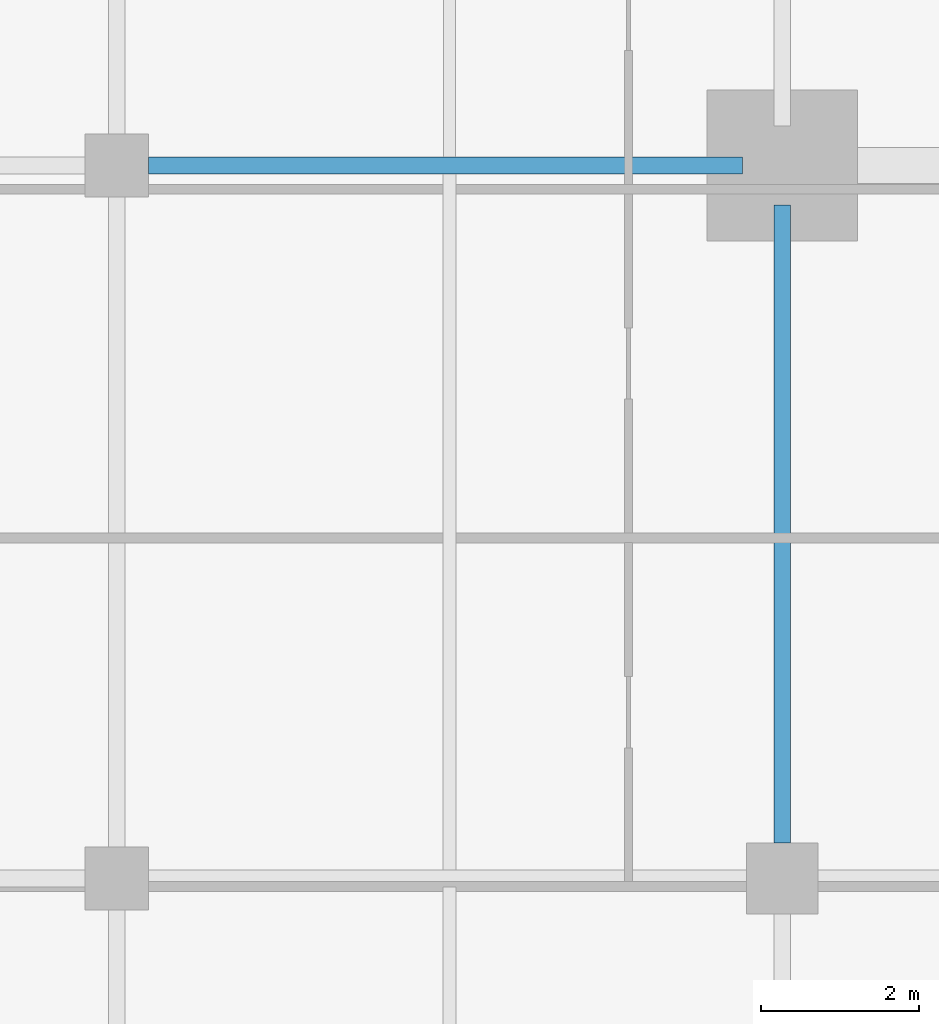
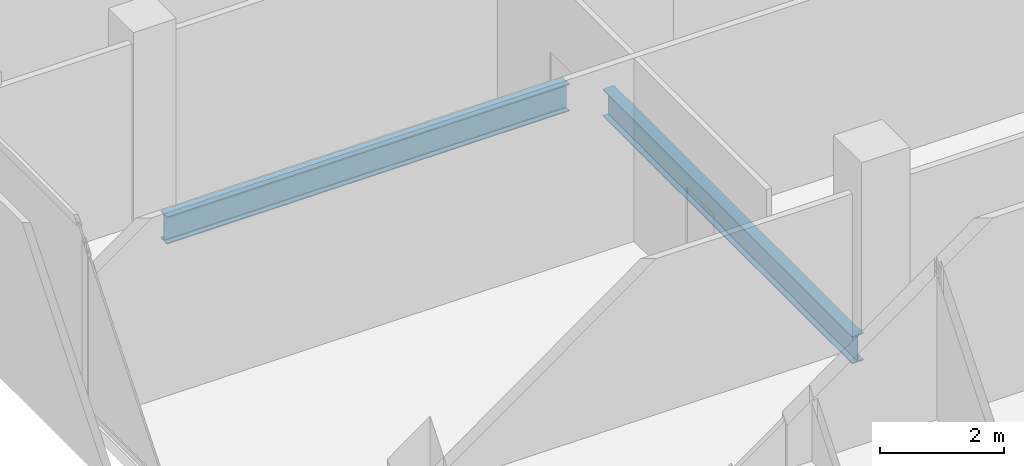
# One storey, part 9 of 34: 2 beams.
"""IFC4 building model written with IfcOpenShell, lengths in metres."""

from ifc_helpers import new_model, si_unit, direction, frame, origin, origin_2d, place, context, subcontext, project, spatial, i_section, extrude, material, material_profile, profile_set, type_object, element, save


model = new_model("IFC4")

# Units and contexts
model_context = context("Model", 3, precision=1e-05, world=origin(), true_north=direction((0.0, 1.0)))
body_context = subcontext(model_context, "Body", "Model", "MODEL_VIEW")
ifc_project = project(units=[si_unit("LENGTHUNIT", "METRE"), si_unit("AREAUNIT", "SQUARE_METRE"), si_unit("VOLUMEUNIT", "CUBIC_METRE"), si_unit("PLANEANGLEUNIT", "RADIAN"), si_unit("MASSUNIT", "GRAM", prefix="KILO")], contexts=[model_context])

# Site, building, storey
site_placement = place(None, origin())
site = spatial("IfcSite", under=ifc_project, at=site_placement, CompositionType="ELEMENT")
building_placement = place(site_placement, origin())
building = spatial("IfcBuilding", under=site, at=building_placement, Name="Maruvema Waterfront Hotel and Observation Tower", CompositionType="ELEMENT")
storey_placement = place(building_placement, frame((0.0, 0.0, 215.949951171875)))
storey = spatial("IfcBuildingStorey", under=building, at=storey_placement, Name="L53", CompositionType="ELEMENT", Elevation=215.949951171875)

# Beams
ifc_material = material(Name="Steel ASTM A572 Grade 50", Category="steel")
ifc_material_profile = material_profile(ifc_material, i_section(OverallWidth=0.2109375, OverallDepth=0.5390625, WebThickness=0.01171875, FlangeThickness=0.018798828125, FilletRadius=0.014892578125, at=origin_2d()), Name="W530x109.0")
ifc_profile_set = profile_set([ifc_material_profile], Name="Steel ASTM A572 Grade 50")
beam_type = type_object("IfcBeamType", Name="Primary Floor Girder W530x109.0", PredefinedType="BEAM", material=ifc_profile_set)
beam_1_placement = place(storey_placement, frame((17.199951171875, 27.0, -0.509521484375), z_axis=(1.0, 0.0, 0.0), x_axis=(0.0, 1.0, 0.0)))
element("IfcBeam", 1, at=beam_1_placement, inside=storey, type_object=beam_type, Name="L53 Floor Girder EW-19", PredefinedType="BEAM", context=body_context, shape_type="SweptSolid", body=[
    extrude(i_section(OverallWidth=0.2109375, OverallDepth=0.5390625, WebThickness=0.01171875, FlangeThickness=0.018798828125, FilletRadius=0.014892578125, at=origin_2d()), origin(), (0.0, 0.0, 1.0), 7.5),
])
beam_2_placement = place(storey_placement, frame((25.199951171875, 18.449951171875, -0.509521484375), z_axis=(0.0, 1.0, 0.0), x_axis=(-1.0, 0.0, 0.0)))
element("IfcBeam", 2, at=beam_2_placement, inside=storey, type_object=beam_type, Name="L53 Floor Girder NS-11", PredefinedType="BEAM", context=body_context, shape_type="SweptSolid", body=[
    extrude(i_section(OverallWidth=0.2109375, OverallDepth=0.5390625, WebThickness=0.01171875, FlangeThickness=0.018798828125, FilletRadius=0.014892578125, at=origin_2d()), origin(), (0.0, 0.0, 1.0), 8.050048828125),
])

save(model, "model.ifc")
